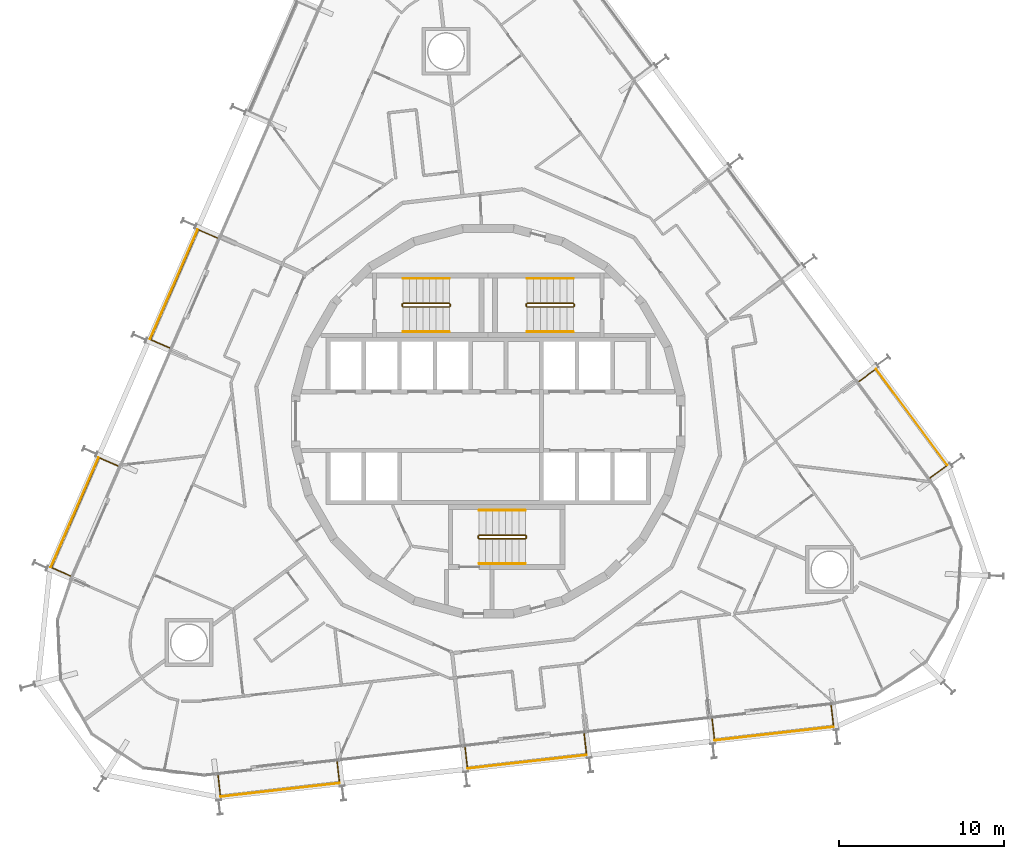
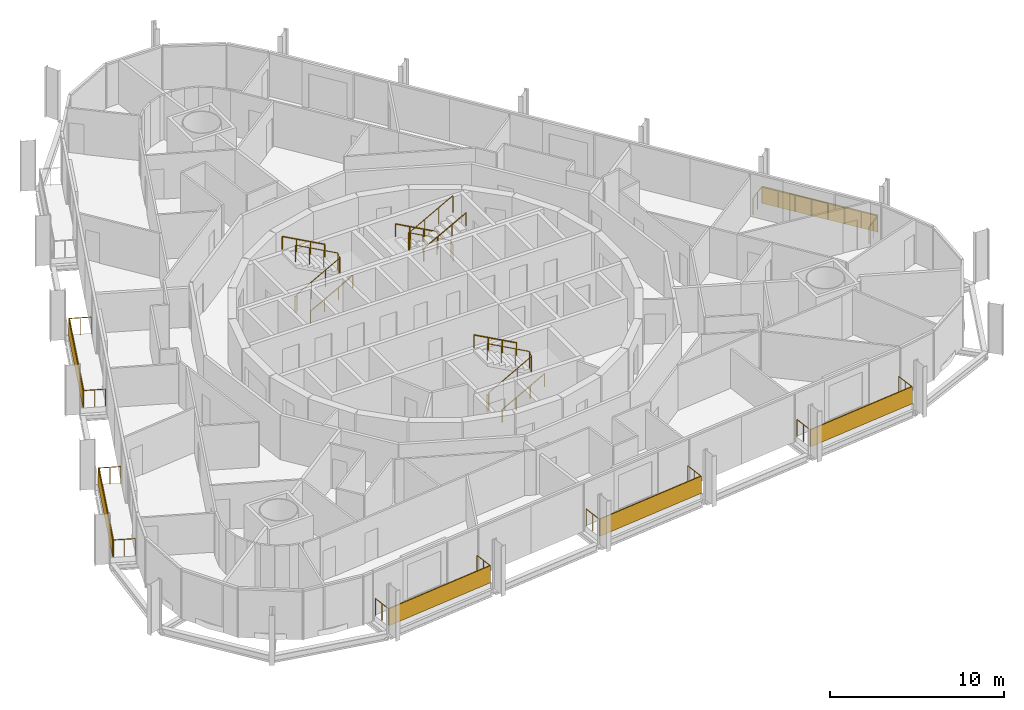
# One storey, part 23 of 24: 15 railings, 6 shading devices.
"""IFC4 building model written with IfcOpenShell, lengths in metres."""

from ifc_helpers import new_model, si_unit, direction, frame, origin, origin_2d, place, context, subcontext, project, spatial, rectangle, circle, extrude, material, layer, layer_set, type_object, element, save


model = new_model("IFC4")

# Units and contexts
model_context = context("Model", 3, precision=1e-05, world=origin(), true_north=direction((0.0, 1.0)))
body_context = subcontext(model_context, "Body", "Model", "MODEL_VIEW")
ifc_project = project(units=[si_unit("LENGTHUNIT", "METRE"), si_unit("AREAUNIT", "SQUARE_METRE"), si_unit("VOLUMEUNIT", "CUBIC_METRE"), si_unit("PLANEANGLEUNIT", "RADIAN"), si_unit("MASSUNIT", "GRAM", prefix="KILO")], contexts=[model_context])

# Site, building, storey
site_placement = place(None, origin())
site = spatial("IfcSite", under=ifc_project, at=site_placement, CompositionType="ELEMENT")
building_placement = place(site_placement, origin())
building = spatial("IfcBuilding", under=site, at=building_placement, Name="Spindle Arch Residences", CompositionType="ELEMENT")
storey_placement = place(building_placement, frame((0.0, 0.0, 87.199951171875)))
storey = spatial("IfcBuildingStorey", under=building, at=storey_placement, Name="L20", CompositionType="ELEMENT", Elevation=87.199951171875)

# Railings
ifc_material_1 = material(Name="Bronze anodised aluminium guard with glass infill", Category="aluminium")
railing_type_1 = type_object("IfcRailingType", Name="Balcony guard 1200", PredefinedType="GUARDRAIL", material=ifc_material_1)
railing_1_placement = place(storey_placement, frame((13.54150390625, -18.030517578125, 0.0)))
element("IfcRailing", 1, at=railing_1_placement, inside=storey, type_object=railing_type_1, Name="Guard L20 bay 2", PredefinedType="GUARDRAIL", context=body_context, shape_type="SweptSolid", body=[
    extrude(circle(Radius=0.02392578125, at=origin_2d()), frame((0.0, 0.0, 1.17578125), z_axis=(0.113089367196, -0.993584820248, 0.0), x_axis=(0.993584820248, 0.113089367196, 0.0)), (0.0, 0.0, 1.0), 1.25),
    extrude(circle(Radius=0.02392578125, at=origin_2d()), frame((0.141357421875, -1.241943359375, 1.17578125), z_axis=(0.993572236179, 0.113199874095, 0.0), x_axis=(-0.113199874095, 0.993572236179, 0.0)), (0.0, 0.0, 1.0), 7.248779296875),
    extrude(circle(Radius=0.02392578125, at=origin_2d()), frame((7.343505859375, -0.42138671875, 1.17578125), z_axis=(-0.113089367196, 0.993584820248, 0.0), x_axis=(-0.993584820248, -0.113089367196, 0.0)), (0.0, 0.0, 1.0), 1.25),
    extrude(circle(Radius=0.02099609375, at=origin_2d()), origin(), (0.0, 0.0, 1.0), 1.15185546875),
    extrude(circle(Radius=0.02099609375, at=origin_2d()), frame((0.07080078125, -0.62109375, 0.0)), (0.0, 0.0, 1.0), 1.15185546875),
    extrude(circle(Radius=0.02099609375, at=origin_2d()), frame((0.141357421875, -1.241943359375, 0.0)), (0.0, 0.0, 1.0), 1.15185546875),
    extrude(circle(Radius=0.02099609375, at=origin_2d()), frame((1.170166015625, -1.124755859375, 0.0)), (0.0, 0.0, 1.0), 1.15185546875),
    extrude(circle(Radius=0.02099609375, at=origin_2d()), frame((2.19921875, -1.007568359375, 0.0)), (0.0, 0.0, 1.0), 1.15185546875),
    extrude(circle(Radius=0.02099609375, at=origin_2d()), frame((3.22802734375, -0.890380859375, 0.0)), (0.0, 0.0, 1.0), 1.15185546875),
    extrude(circle(Radius=0.02099609375, at=origin_2d()), frame((4.2568359375, -0.77294921875, 0.0)), (0.0, 0.0, 1.0), 1.15185546875),
    extrude(circle(Radius=0.02099609375, at=origin_2d()), frame((5.28564453125, -0.65576171875, 0.0)), (0.0, 0.0, 1.0), 1.15185546875),
    extrude(circle(Radius=0.02099609375, at=origin_2d()), frame((6.314697265625, -0.53857421875, 0.0)), (0.0, 0.0, 1.0), 1.15185546875),
    extrude(circle(Radius=0.02099609375, at=origin_2d()), frame((7.343505859375, -0.42138671875, 0.0)), (0.0, 0.0, 1.0), 1.15185546875),
    extrude(circle(Radius=0.02099609375, at=origin_2d()), frame((7.27294921875, 0.19970703125, 0.0)), (0.0, 0.0, 1.0), 1.15185546875),
    extrude(circle(Radius=0.02099609375, at=origin_2d()), frame((7.2021484375, 0.820556640625, 0.0)), (0.0, 0.0, 1.0), 1.15185546875),
])
railing_2_placement = place(storey_placement, frame((26.733642578125, -3.433837890625, 0.0)))
element("IfcRailing", 2, at=railing_2_placement, inside=storey, type_object=railing_type_1, Name="Guard L20 bay 6", PredefinedType="GUARDRAIL", context=body_context, shape_type="SweptSolid", body=[
    extrude(circle(Radius=0.02392578125, at=origin_2d()), frame((0.0, 0.0, 1.17578125), z_axis=(0.803826957932, 0.594863195787, 0.0), x_axis=(-0.594863195787, 0.803826957932, 0.0)), (0.0, 0.0, 1.0), 1.250244140625),
    extrude(circle(Radius=0.02392578125, at=origin_2d()), frame((1.0048828125, 0.74365234375, 1.17578125), z_axis=(-0.594830382786, 0.803851239792, 0.0), x_axis=(-0.803851239792, -0.594830382786, 0.0)), (0.0, 0.0, 1.0), 7.248779296875),
    extrude(circle(Radius=0.02392578125, at=origin_2d()), frame((-3.306884765625, 6.570556640625, 1.17578125), z_axis=(-0.803920341668, -0.594736987459, 0.0), x_axis=(0.594736987459, -0.803920341668, 0.0)), (0.0, 0.0, 1.0), 1.25),
    extrude(circle(Radius=0.02099609375, at=origin_2d()), origin(), (0.0, 0.0, 1.0), 1.15185546875),
    extrude(circle(Radius=0.02099609375, at=origin_2d()), frame((0.50244140625, 0.371826171875, 0.0)), (0.0, 0.0, 1.0), 1.15185546875),
    extrude(circle(Radius=0.02099609375, at=origin_2d()), frame((1.0048828125, 0.74365234375, 0.0)), (0.0, 0.0, 1.0), 1.15185546875),
    extrude(circle(Radius=0.02099609375, at=origin_2d()), frame((0.388916015625, 1.576171875, 0.0)), (0.0, 0.0, 1.0), 1.15185546875),
    extrude(circle(Radius=0.02099609375, at=origin_2d()), frame((-0.22705078125, 2.408447265625, 0.0)), (0.0, 0.0, 1.0), 1.15185546875),
    extrude(circle(Radius=0.02099609375, at=origin_2d()), frame((-0.843017578125, 3.240966796875, 0.0)), (0.0, 0.0, 1.0), 1.15185546875),
    extrude(circle(Radius=0.02099609375, at=origin_2d()), frame((-1.458984375, 4.0732421875, 0.0)), (0.0, 0.0, 1.0), 1.15185546875),
    extrude(circle(Radius=0.02099609375, at=origin_2d()), frame((-2.074951171875, 4.90576171875, 0.0)), (0.0, 0.0, 1.0), 1.15185546875),
    extrude(circle(Radius=0.02099609375, at=origin_2d()), frame((-2.69091796875, 5.738037109375, 0.0)), (0.0, 0.0, 1.0), 1.15185546875),
    extrude(circle(Radius=0.02099609375, at=origin_2d()), frame((-3.306884765625, 6.570556640625, 0.0)), (0.0, 0.0, 1.0), 1.15185546875),
    extrude(circle(Radius=0.02099609375, at=origin_2d()), frame((-3.809326171875, 6.19873046875, 0.0)), (0.0, 0.0, 1.0), 1.15185546875),
    extrude(circle(Radius=0.02099609375, at=origin_2d()), frame((-4.311767578125, 5.8271484375, 0.0)), (0.0, 0.0, 1.0), 1.15185546875),
])
railing_3_placement = place(storey_placement, frame((-16.389404296875, 11.078369140625, 0.0)))
element("IfcRailing", 3, at=railing_3_placement, inside=storey, type_object=railing_type_1, Name="Guard L20 bay 16", PredefinedType="GUARDRAIL", context=body_context, shape_type="SweptSolid", body=[
    extrude(circle(Radius=0.02392578125, at=origin_2d()), frame((0.0, 0.0, 1.17578125), z_axis=(-0.917020365572, 0.398840380511, 0.0), x_axis=(-0.398840380511, -0.917020365572, 0.0)), (0.0, 0.0, 1.0), 1.25),
    extrude(circle(Radius=0.02392578125, at=origin_2d()), frame((-1.146240234375, 0.49853515625, 1.17578125), z_axis=(-0.398734732131, -0.917066308067, 0.0), x_axis=(0.917066308067, -0.398734732131, 0.0)), (0.0, 0.0, 1.0), 7.248779296875),
    extrude(circle(Radius=0.02392578125, at=origin_2d()), frame((-4.03662109375, -6.149169921875, 1.17578125), z_axis=(0.917091793142, -0.398676112844, 0.0), x_axis=(0.398676112844, 0.917091793142, 0.0)), (0.0, 0.0, 1.0), 1.249755859375),
    extrude(circle(Radius=0.02099609375, at=origin_2d()), origin(), (0.0, 0.0, 1.0), 1.15185546875),
    extrude(circle(Radius=0.02099609375, at=origin_2d()), frame((-0.5732421875, 0.249267578125, 0.0)), (0.0, 0.0, 1.0), 1.15185546875),
    extrude(circle(Radius=0.02099609375, at=origin_2d()), frame((-1.146240234375, 0.49853515625, 0.0)), (0.0, 0.0, 1.0), 1.15185546875),
    extrude(circle(Radius=0.02099609375, at=origin_2d()), frame((-1.55908203125, -0.451171875, 0.0)), (0.0, 0.0, 1.0), 1.15185546875),
    extrude(circle(Radius=0.02099609375, at=origin_2d()), frame((-1.97216796875, -1.40087890625, 0.0)), (0.0, 0.0, 1.0), 1.15185546875),
    extrude(circle(Radius=0.02099609375, at=origin_2d()), frame((-2.385009765625, -2.3505859375, 0.0)), (0.0, 0.0, 1.0), 1.15185546875),
    extrude(circle(Radius=0.02099609375, at=origin_2d()), frame((-2.7978515625, -3.300048828125, 0.0)), (0.0, 0.0, 1.0), 1.15185546875),
    extrude(circle(Radius=0.02099609375, at=origin_2d()), frame((-3.210693359375, -4.249755859375, 0.0)), (0.0, 0.0, 1.0), 1.15185546875),
    extrude(circle(Radius=0.02099609375, at=origin_2d()), frame((-3.623779296875, -5.199462890625, 0.0)), (0.0, 0.0, 1.0), 1.15185546875),
    extrude(circle(Radius=0.02099609375, at=origin_2d()), frame((-4.03662109375, -6.149169921875, 0.0)), (0.0, 0.0, 1.0), 1.15185546875),
    extrude(circle(Radius=0.02099609375, at=origin_2d()), frame((-3.46337890625, -6.3984375, 0.0)), (0.0, 0.0, 1.0), 1.15185546875),
    extrude(circle(Radius=0.02099609375, at=origin_2d()), frame((-2.890380859375, -6.6474609375, 0.0)), (0.0, 0.0, 1.0), 1.15185546875),
])
railing_4_placement = place(storey_placement, frame((-22.385498046875, -2.7119140625, 0.0)))
element("IfcRailing", 4, at=railing_4_placement, inside=storey, type_object=railing_type_1, Name="Guard L20 bay 18", PredefinedType="GUARDRAIL", context=body_context, shape_type="SweptSolid", body=[
    extrude(circle(Radius=0.02392578125, at=origin_2d()), frame((0.0, 0.0, 1.17578125), z_axis=(-0.917122831658, 0.398604706008, 0.0), x_axis=(-0.398604706008, -0.917122831658, 0.0)), (0.0, 0.0, 1.0), 1.25),
    extrude(circle(Radius=0.02392578125, at=origin_2d()), frame((-1.146484375, 0.498291015625, 1.17578125), z_axis=(-0.398747048027, -0.917060953094, 0.0), x_axis=(0.917060953094, -0.398747048027, 0.0)), (0.0, 0.0, 1.0), 7.248779296875),
    extrude(circle(Radius=0.02392578125, at=origin_2d()), frame((-4.036865234375, -6.149169921875, 1.17578125), z_axis=(0.917020365572, -0.398840380511, 0.0), x_axis=(0.398840380511, 0.917020365572, 0.0)), (0.0, 0.0, 1.0), 1.25),
    extrude(circle(Radius=0.02099609375, at=origin_2d()), origin(), (0.0, 0.0, 1.0), 1.15185546875),
    extrude(circle(Radius=0.02099609375, at=origin_2d()), frame((-0.5732421875, 0.2490234375, 0.0)), (0.0, 0.0, 1.0), 1.15185546875),
    extrude(circle(Radius=0.02099609375, at=origin_2d()), frame((-1.146484375, 0.498291015625, 0.0)), (0.0, 0.0, 1.0), 1.15185546875),
    extrude(circle(Radius=0.02099609375, at=origin_2d()), frame((-1.559326171875, -0.451416015625, 0.0)), (0.0, 0.0, 1.0), 1.15185546875),
    extrude(circle(Radius=0.02099609375, at=origin_2d()), frame((-1.972412109375, -1.40087890625, 0.0)), (0.0, 0.0, 1.0), 1.15185546875),
    extrude(circle(Radius=0.02099609375, at=origin_2d()), frame((-2.38525390625, -2.3505859375, 0.0)), (0.0, 0.0, 1.0), 1.15185546875),
    extrude(circle(Radius=0.02099609375, at=origin_2d()), frame((-2.798095703125, -3.30029296875, 0.0)), (0.0, 0.0, 1.0), 1.15185546875),
    extrude(circle(Radius=0.02099609375, at=origin_2d()), frame((-3.2109375, -4.25, 0.0)), (0.0, 0.0, 1.0), 1.15185546875),
    extrude(circle(Radius=0.02099609375, at=origin_2d()), frame((-3.6240234375, -5.199462890625, 0.0)), (0.0, 0.0, 1.0), 1.15185546875),
    extrude(circle(Radius=0.02099609375, at=origin_2d()), frame((-4.036865234375, -6.149169921875, 0.0)), (0.0, 0.0, 1.0), 1.15185546875),
    extrude(circle(Radius=0.02099609375, at=origin_2d()), frame((-3.4638671875, -6.3984375, 0.0)), (0.0, 0.0, 1.0), 1.15185546875),
    extrude(circle(Radius=0.02099609375, at=origin_2d()), frame((-2.890625, -6.647705078125, 0.0)), (0.0, 0.0, 1.0), 1.15185546875),
])
railing_5_placement = place(storey_placement, frame((-16.340576171875, -21.43505859375, 0.0)))
element("IfcRailing", 5, at=railing_5_placement, inside=storey, type_object=railing_type_1, Name="Guard L20 bay 22", PredefinedType="GUARDRAIL", context=body_context, shape_type="SweptSolid", body=[
    extrude(circle(Radius=0.02392578125, at=origin_2d()), frame((0.0, 0.0, 1.17578125), z_axis=(0.11328218126, -0.993562855289, 0.0), x_axis=(0.993562855289, 0.11328218126, 0.0)), (0.0, 0.0, 1.0), 1.25),
    extrude(circle(Radius=0.02392578125, at=origin_2d()), frame((0.1416015625, -1.241943359375, 1.17578125), z_axis=(0.993572236179, 0.113199874095, 0.0), x_axis=(-0.113199874095, 0.993572236179, 0.0)), (0.0, 0.0, 1.0), 7.248779296875),
    extrude(circle(Radius=0.02392578125, at=origin_2d()), frame((7.34375, -0.42138671875, 1.17578125), z_axis=(-0.11328218126, 0.993562855289, 0.0), x_axis=(-0.993562855289, -0.11328218126, 0.0)), (0.0, 0.0, 1.0), 1.25),
    extrude(circle(Radius=0.02099609375, at=origin_2d()), origin(), (0.0, 0.0, 1.0), 1.15185546875),
    extrude(circle(Radius=0.02099609375, at=origin_2d()), frame((0.07080078125, -0.62109375, 0.0)), (0.0, 0.0, 1.0), 1.15185546875),
    extrude(circle(Radius=0.02099609375, at=origin_2d()), frame((0.1416015625, -1.241943359375, 0.0)), (0.0, 0.0, 1.0), 1.15185546875),
    extrude(circle(Radius=0.02099609375, at=origin_2d()), frame((1.17041015625, -1.124755859375, 0.0)), (0.0, 0.0, 1.0), 1.15185546875),
    extrude(circle(Radius=0.02099609375, at=origin_2d()), frame((2.199462890625, -1.007568359375, 0.0)), (0.0, 0.0, 1.0), 1.15185546875),
    extrude(circle(Radius=0.02099609375, at=origin_2d()), frame((3.228271484375, -0.890380859375, 0.0)), (0.0, 0.0, 1.0), 1.15185546875),
    extrude(circle(Radius=0.02099609375, at=origin_2d()), frame((4.257080078125, -0.77294921875, 0.0)), (0.0, 0.0, 1.0), 1.15185546875),
    extrude(circle(Radius=0.02099609375, at=origin_2d()), frame((5.285888671875, -0.65576171875, 0.0)), (0.0, 0.0, 1.0), 1.15185546875),
    extrude(circle(Radius=0.02099609375, at=origin_2d()), frame((6.31494140625, -0.53857421875, 0.0)), (0.0, 0.0, 1.0), 1.15185546875),
    extrude(circle(Radius=0.02099609375, at=origin_2d()), frame((7.34375, -0.42138671875, 0.0)), (0.0, 0.0, 1.0), 1.15185546875),
    extrude(circle(Radius=0.02099609375, at=origin_2d()), frame((7.27294921875, 0.19970703125, 0.0)), (0.0, 0.0, 1.0), 1.15185546875),
    extrude(circle(Radius=0.02099609375, at=origin_2d()), frame((7.2021484375, 0.820556640625, 0.0)), (0.0, 0.0, 1.0), 1.15185546875),
])
railing_6_placement = place(storey_placement, frame((-1.399658203125, -19.73291015625, 0.0)))
element("IfcRailing", 6, at=railing_6_placement, inside=storey, type_object=railing_type_1, Name="Guard L20 bay 24", PredefinedType="GUARDRAIL", context=body_context, shape_type="SweptSolid", body=[
    extrude(circle(Radius=0.02392578125, at=origin_2d()), frame((0.0, 0.0, 1.17578125), z_axis=(0.11328218126, -0.993562855289, 0.0), x_axis=(0.993562855289, 0.11328218126, 0.0)), (0.0, 0.0, 1.0), 1.25),
    extrude(circle(Radius=0.02392578125, at=origin_2d()), frame((0.1416015625, -1.241943359375, 1.17578125), z_axis=(0.993572236179, 0.113199874095, 0.0), x_axis=(-0.113199874095, 0.993572236179, 0.0)), (0.0, 0.0, 1.0), 7.248779296875),
    extrude(circle(Radius=0.02392578125, at=origin_2d()), frame((7.34375, -0.42138671875, 1.17578125), z_axis=(-0.113067424691, 0.993587317488, 0.0), x_axis=(-0.993587317488, -0.113067424691, 0.0)), (0.0, 0.0, 1.0), 1.250244140625),
    extrude(circle(Radius=0.02099609375, at=origin_2d()), origin(), (0.0, 0.0, 1.0), 1.15185546875),
    extrude(circle(Radius=0.02099609375, at=origin_2d()), frame((0.07080078125, -0.62109375, 0.0)), (0.0, 0.0, 1.0), 1.15185546875),
    extrude(circle(Radius=0.02099609375, at=origin_2d()), frame((0.1416015625, -1.241943359375, 0.0)), (0.0, 0.0, 1.0), 1.15185546875),
    extrude(circle(Radius=0.02099609375, at=origin_2d()), frame((1.17041015625, -1.124755859375, 0.0)), (0.0, 0.0, 1.0), 1.15185546875),
    extrude(circle(Radius=0.02099609375, at=origin_2d()), frame((2.199462890625, -1.007568359375, 0.0)), (0.0, 0.0, 1.0), 1.15185546875),
    extrude(circle(Radius=0.02099609375, at=origin_2d()), frame((3.228271484375, -0.890380859375, 0.0)), (0.0, 0.0, 1.0), 1.15185546875),
    extrude(circle(Radius=0.02099609375, at=origin_2d()), frame((4.257080078125, -0.77294921875, 0.0)), (0.0, 0.0, 1.0), 1.15185546875),
    extrude(circle(Radius=0.02099609375, at=origin_2d()), frame((5.285888671875, -0.65576171875, 0.0)), (0.0, 0.0, 1.0), 1.15185546875),
    extrude(circle(Radius=0.02099609375, at=origin_2d()), frame((6.31494140625, -0.53857421875, 0.0)), (0.0, 0.0, 1.0), 1.15185546875),
    extrude(circle(Radius=0.02099609375, at=origin_2d()), frame((7.34375, -0.42138671875, 0.0)), (0.0, 0.0, 1.0), 1.15185546875),
    extrude(circle(Radius=0.02099609375, at=origin_2d()), frame((7.27294921875, 0.19970703125, 0.0)), (0.0, 0.0, 1.0), 1.15185546875),
    extrude(circle(Radius=0.02099609375, at=origin_2d()), frame((7.202392578125, 0.82080078125, 0.0)), (0.0, 0.0, 1.0), 1.15185546875),
])

# Shading devices
ifc_material_2 = material(Name="Bronze perforated cobogo screen")
ifc_layer = layer(ifc_material_2, 0.0390625)
ifc_layer_set = layer_set([ifc_layer], Name="Cobogo screen 1200")
shading_device_type = type_object("IfcShadingDeviceType", Name="Cobogo screen 1200", PredefinedType="USERDEFINED", material=ifc_layer_set)
for number, where, z_axis, x_axis, name in (
    (7, (17.28857421875, -18.90234375, 0.0), (0.0, 0.0, 1.0), (0.993571855677, 0.113203213768, 0.0), "Cobogo screen L20 bay 2"),
    (8, (25.615234375, 0.247314453125, 0.0), (0.0, 0.0, 1.0), (-0.594822786751, 0.803856860617, 0.0), "Cobogo screen L20 bay 6"),
    (9, (-19.01806640625, 8.269287109375, 0.0), (0.0, 0.0, 1.0), (-0.398749068925, -0.917060074385, 0.0), "Cobogo screen L20 bay 16"),
    (10, (-25.01416015625, -5.521240234375, 0.0), (0.0, 0.0, 1.0), (-0.398749068925, -0.917060074385, 0.0), "Cobogo screen L20 bay 18"),
    (11, (-12.59326171875, -22.30712890625, 0.0), (0.0, 0.0, 1.0), (0.993571855677, 0.113203213768, 0.0), "Cobogo screen L20 bay 22"),
    (12, (2.34765625, -20.604736328125, 0.0), (0.0, 0.0, 1.0), (0.993571855677, 0.113203213768, 0.0), "Cobogo screen L20 bay 24"),
):
    element("IfcShadingDevice", number, at=place(storey_placement, frame(where, z_axis=z_axis, x_axis=x_axis)), inside=storey, type_object=shading_device_type, Name=name, ObjectType="SCREEN", PredefinedType="USERDEFINED", context=body_context, shape_type="SweptSolid", body=[
        extrude(rectangle(XDim=7.248779296875, YDim=0.0390625, at=origin_2d()), origin(), (0.0, 0.0, 1.0), 1.199951171875),
    ])

# Railings
ifc_material_3 = material(Name="Steel, painted", Category="steel")
railing_type_2 = type_object("IfcRailingType", Name="Stair guard 1100", PredefinedType="GUARDRAIL", material=ifc_material_3)
railing_7_placement = place(storey_placement, frame((5.14990234375, 6.89990234375, 3.5)))
element("IfcRailing", 13, at=railing_7_placement, inside=storey, type_object=railing_type_2, Name="L20 ST1 stair guard 1", PredefinedType="GUARDRAIL", context=body_context, shape_type="SweptSolid", body=[
    extrude(circle(Radius=0.02392578125, at=origin_2d()), frame((0.0, 0.0, 1.17578125), z_axis=(-0.877357048833, 0.0, -0.479838106931), x_axis=(0.0, -1.0, 0.0)), (0.0, 0.0, 1.0), 3.191162109375),
    extrude(circle(Radius=0.02392578125, at=origin_2d()), frame((-2.7998046875, 0.0, -0.35546875), z_axis=(-0.217683172539, 0.217683172539, -0.951434744366), x_axis=(-0.707106781187, -0.707106781187, 0.0)), (0.0, 0.0, 1.0), 0.22998046875),
    extrude(circle(Radius=0.02392578125, at=origin_2d()), frame((-2.849853515625, 0.050048828125, -0.57421875), z_axis=(0.0, 1.0, 0.0), x_axis=(-1.0, 0.0, 0.0)), (0.0, 0.0, 1.0), 0.1201171875),
    extrude(circle(Radius=0.02392578125, at=origin_2d()), frame((-2.849853515625, 0.170166015625, -0.57421875), z_axis=(0.707106781187, 0.707106781187, 0.0), x_axis=(-0.707106781187, 0.707106781187, 0.0)), (0.0, 0.0, 1.0), 0.07080078125),
    extrude(circle(Radius=0.02392578125, at=origin_2d()), frame((-2.7998046875, 0.22021484375, -0.57421875), z_axis=(0.877357048833, 0.0, -0.479838106931), x_axis=(0.0, 1.0, 0.0)), (0.0, 0.0, 1.0), 3.191162109375),
    extrude(circle(Radius=0.02392578125, at=origin_2d()), frame((0.0, 0.22021484375, -2.10546875), z_axis=(0.217683172539, -0.217683172539, -0.951434744366), x_axis=(0.707106781187, 0.707106781187, 0.0)), (0.0, 0.0, 1.0), 0.22998046875),
    extrude(circle(Radius=0.02392578125, at=origin_2d()), frame((0.050048828125, 0.170166015625, -2.32421875), z_axis=(0.0, -1.0, 0.0), x_axis=(1.0, 0.0, 0.0)), (0.0, 0.0, 1.0), 0.1201171875),
    extrude(circle(Radius=0.02099609375, at=origin_2d()), origin(), (0.0, 0.0, 1.0), 1.15185546875),
    extrude(circle(Radius=0.02099609375, at=origin_2d()), frame((-0.933349609375, 0.0, -0.510498046875)), (0.0, 0.0, 1.0), 1.15185546875),
    extrude(circle(Radius=0.02099609375, at=origin_2d()), frame((-1.866455078125, 0.0, -1.020751953125)), (0.0, 0.0, 1.0), 1.15185546875),
    extrude(circle(Radius=0.02099609375, at=origin_2d()), frame((-2.7998046875, 0.0, -1.53125)), (0.0, 0.0, 1.0), 1.15185546875),
    extrude(circle(Radius=0.02099609375, at=origin_2d()), frame((-2.849853515625, 0.050048828125, -1.75)), (0.0, 0.0, 1.0), 1.15185546875),
    extrude(circle(Radius=0.02099609375, at=origin_2d()), frame((-2.849853515625, 0.170166015625, -1.75)), (0.0, 0.0, 1.0), 1.15185546875),
    extrude(circle(Radius=0.02099609375, at=origin_2d()), frame((-2.7998046875, 0.22021484375, -1.75)), (0.0, 0.0, 1.0), 1.15185546875),
    extrude(circle(Radius=0.02099609375, at=origin_2d()), frame((-1.866455078125, 0.22021484375, -2.260498046875)), (0.0, 0.0, 1.0), 1.15185546875),
    extrude(circle(Radius=0.02099609375, at=origin_2d()), frame((-0.933349609375, 0.22021484375, -2.770751953125)), (0.0, 0.0, 1.0), 1.15185546875),
    extrude(circle(Radius=0.02099609375, at=origin_2d()), frame((0.0, 0.22021484375, -3.28125)), (0.0, 0.0, 1.0), 1.15185546875),
    extrude(circle(Radius=0.02099609375, at=origin_2d()), frame((0.050048828125, 0.170166015625, -3.5)), (0.0, 0.0, 1.0), 1.15185546875),
    extrude(circle(Radius=0.02099609375, at=origin_2d()), frame((0.050048828125, 0.050048828125, -3.5)), (0.0, 0.0, 1.0), 1.15185546875),
])
railing_8_placement = place(storey_placement, frame((-5.14990234375, 7.1201171875, 3.5)))
element("IfcRailing", 14, at=railing_8_placement, inside=storey, type_object=railing_type_2, Name="L20 ST2 stair guard 1", PredefinedType="GUARDRAIL", context=body_context, shape_type="SweptSolid", body=[
    extrude(circle(Radius=0.02392578125, at=origin_2d()), frame((0.0, 0.0, 1.17578125), z_axis=(0.877357048833, 0.0, -0.479838106931), x_axis=(0.0, 1.0, 0.0)), (0.0, 0.0, 1.0), 3.191162109375),
    extrude(circle(Radius=0.02392578125, at=origin_2d()), frame((2.7998046875, 0.0, -0.35546875), z_axis=(0.217683172539, -0.217683172539, -0.951434744366), x_axis=(0.707106781187, 0.707106781187, 0.0)), (0.0, 0.0, 1.0), 0.22998046875),
    extrude(circle(Radius=0.02392578125, at=origin_2d()), frame((2.849853515625, -0.050048828125, -0.57421875), z_axis=(0.0, -1.0, 0.0), x_axis=(1.0, 0.0, 0.0)), (0.0, 0.0, 1.0), 0.1201171875),
    extrude(circle(Radius=0.02392578125, at=origin_2d()), frame((2.849853515625, -0.170166015625, -0.57421875), z_axis=(-0.707106781187, -0.707106781187, 0.0), x_axis=(0.707106781187, -0.707106781187, 0.0)), (0.0, 0.0, 1.0), 0.07080078125),
    extrude(circle(Radius=0.02392578125, at=origin_2d()), frame((2.7998046875, -0.22021484375, -0.57421875), z_axis=(-0.877357048833, 0.0, -0.479838106931), x_axis=(0.0, -1.0, 0.0)), (0.0, 0.0, 1.0), 3.191162109375),
    extrude(circle(Radius=0.02392578125, at=origin_2d()), frame((0.0, -0.22021484375, -2.10546875), z_axis=(-0.217683172539, 0.217683172539, -0.951434744366), x_axis=(-0.707106781187, -0.707106781187, 0.0)), (0.0, 0.0, 1.0), 0.22998046875),
    extrude(circle(Radius=0.02392578125, at=origin_2d()), frame((-0.050048828125, -0.170166015625, -2.32421875), z_axis=(0.0, 1.0, 0.0), x_axis=(-1.0, 0.0, 0.0)), (0.0, 0.0, 1.0), 0.1201171875),
    extrude(circle(Radius=0.02099609375, at=origin_2d()), origin(), (0.0, 0.0, 1.0), 1.15185546875),
    extrude(circle(Radius=0.02099609375, at=origin_2d()), frame((0.933349609375, 0.0, -0.510498046875)), (0.0, 0.0, 1.0), 1.15185546875),
    extrude(circle(Radius=0.02099609375, at=origin_2d()), frame((1.866455078125, 0.0, -1.020751953125)), (0.0, 0.0, 1.0), 1.15185546875),
    extrude(circle(Radius=0.02099609375, at=origin_2d()), frame((2.7998046875, 0.0, -1.53125)), (0.0, 0.0, 1.0), 1.15185546875),
    extrude(circle(Radius=0.02099609375, at=origin_2d()), frame((2.849853515625, -0.050048828125, -1.75)), (0.0, 0.0, 1.0), 1.15185546875),
    extrude(circle(Radius=0.02099609375, at=origin_2d()), frame((2.849853515625, -0.170166015625, -1.75)), (0.0, 0.0, 1.0), 1.15185546875),
    extrude(circle(Radius=0.02099609375, at=origin_2d()), frame((2.7998046875, -0.22021484375, -1.75)), (0.0, 0.0, 1.0), 1.15185546875),
    extrude(circle(Radius=0.02099609375, at=origin_2d()), frame((1.866455078125, -0.22021484375, -2.260498046875)), (0.0, 0.0, 1.0), 1.15185546875),
    extrude(circle(Radius=0.02099609375, at=origin_2d()), frame((0.933349609375, -0.22021484375, -2.770751953125)), (0.0, 0.0, 1.0), 1.15185546875),
    extrude(circle(Radius=0.02099609375, at=origin_2d()), frame((0.0, -0.22021484375, -3.28125)), (0.0, 0.0, 1.0), 1.15185546875),
    extrude(circle(Radius=0.02099609375, at=origin_2d()), frame((-0.050048828125, -0.170166015625, -3.5)), (0.0, 0.0, 1.0), 1.15185546875),
    extrude(circle(Radius=0.02099609375, at=origin_2d()), frame((-0.050048828125, -0.050048828125, -3.5)), (0.0, 0.0, 1.0), 1.15185546875),
])
railing_9_placement = place(storey_placement, frame((-0.550048828125, -6.89990234375, 3.5)))
element("IfcRailing", 15, at=railing_9_placement, inside=storey, type_object=railing_type_2, Name="L20 ST3 stair guard 1", PredefinedType="GUARDRAIL", context=body_context, shape_type="SweptSolid", body=[
    extrude(circle(Radius=0.02392578125, at=origin_2d()), frame((0.0, 0.0, 1.17578125), z_axis=(0.877374661878, 0.0, -0.479805901063), x_axis=(0.0, 1.0, 0.0)), (0.0, 0.0, 1.0), 3.19140625),
    extrude(circle(Radius=0.02392578125, at=origin_2d()), frame((2.800048828125, 0.0, -0.35546875), z_axis=(0.217683172539, -0.217683172539, -0.951434744366), x_axis=(0.707106781187, 0.707106781187, 0.0)), (0.0, 0.0, 1.0), 0.22998046875),
    extrude(circle(Radius=0.02392578125, at=origin_2d()), frame((2.85009765625, -0.050048828125, -0.57421875), z_axis=(0.0, -1.0, 0.0), x_axis=(1.0, 0.0, 0.0)), (0.0, 0.0, 1.0), 0.1201171875),
    extrude(circle(Radius=0.02392578125, at=origin_2d()), frame((2.85009765625, -0.170166015625, -0.57421875), z_axis=(-0.707106781187, -0.707106781187, 0.0), x_axis=(0.707106781187, -0.707106781187, 0.0)), (0.0, 0.0, 1.0), 0.07080078125),
    extrude(circle(Radius=0.02392578125, at=origin_2d()), frame((2.800048828125, -0.22021484375, -0.57421875), z_axis=(-0.877374661878, 0.0, -0.479805901063), x_axis=(0.0, -1.0, 0.0)), (0.0, 0.0, 1.0), 3.19140625),
    extrude(circle(Radius=0.02392578125, at=origin_2d()), frame((0.0, -0.22021484375, -2.10546875), z_axis=(-0.217683172539, 0.217683172539, -0.951434744366), x_axis=(-0.707106781187, -0.707106781187, 0.0)), (0.0, 0.0, 1.0), 0.22998046875),
    extrude(circle(Radius=0.02392578125, at=origin_2d()), frame((-0.050048828125, -0.170166015625, -2.32421875), z_axis=(0.0, 1.0, 0.0), x_axis=(-1.0, 0.0, 0.0)), (0.0, 0.0, 1.0), 0.1201171875),
    extrude(circle(Radius=0.02099609375, at=origin_2d()), origin(), (0.0, 0.0, 1.0), 1.15185546875),
    extrude(circle(Radius=0.02099609375, at=origin_2d()), frame((0.933349609375, 0.0, -0.510498046875)), (0.0, 0.0, 1.0), 1.15185546875),
    extrude(circle(Radius=0.02099609375, at=origin_2d()), frame((1.86669921875, 0.0, -1.020751953125)), (0.0, 0.0, 1.0), 1.15185546875),
    extrude(circle(Radius=0.02099609375, at=origin_2d()), frame((2.800048828125, 0.0, -1.53125)), (0.0, 0.0, 1.0), 1.15185546875),
    extrude(circle(Radius=0.02099609375, at=origin_2d()), frame((2.85009765625, -0.050048828125, -1.75)), (0.0, 0.0, 1.0), 1.15185546875),
    extrude(circle(Radius=0.02099609375, at=origin_2d()), frame((2.85009765625, -0.170166015625, -1.75)), (0.0, 0.0, 1.0), 1.15185546875),
    extrude(circle(Radius=0.02099609375, at=origin_2d()), frame((2.800048828125, -0.22021484375, -1.75)), (0.0, 0.0, 1.0), 1.15185546875),
    extrude(circle(Radius=0.02099609375, at=origin_2d()), frame((1.86669921875, -0.22021484375, -2.260498046875)), (0.0, 0.0, 1.0), 1.15185546875),
    extrude(circle(Radius=0.02099609375, at=origin_2d()), frame((0.933349609375, -0.22021484375, -2.770751953125)), (0.0, 0.0, 1.0), 1.15185546875),
    extrude(circle(Radius=0.02099609375, at=origin_2d()), frame((0.0, -0.22021484375, -3.28125)), (0.0, 0.0, 1.0), 1.15185546875),
    extrude(circle(Radius=0.02099609375, at=origin_2d()), frame((-0.050048828125, -0.170166015625, -3.5)), (0.0, 0.0, 1.0), 1.15185546875),
    extrude(circle(Radius=0.02099609375, at=origin_2d()), frame((-0.050048828125, -0.050048828125, -3.5)), (0.0, 0.0, 1.0), 1.15185546875),
])
ifc_material_4 = material(Name="Steel, painted", Category="steel")
railing_type_3 = type_object("IfcRailingType", Name="Stair handrail 900", PredefinedType="HANDRAIL", material=ifc_material_4)
railing_10_placement = place(storey_placement, frame((5.14990234375, 8.6201171875, 0.21875)))
element("IfcRailing", 16, at=railing_10_placement, inside=storey, type_object=railing_type_3, Name="L20 ST1 stair handrail 1", PredefinedType="HANDRAIL", context=body_context, shape_type="SweptSolid", body=[
    extrude(circle(Radius=0.02392578125, at=origin_2d()), frame((0.0, 0.0, 0.8759765625), z_axis=(-0.877357048833, 0.0, 0.479838106931), x_axis=(0.0, -1.0, 0.0)), (0.0, 0.0, 1.0), 3.191162109375),
    extrude(circle(Radius=0.02099609375, at=origin_2d()), origin(), (0.0, 0.0, 1.0), 0.851806640625),
    extrude(circle(Radius=0.02099609375, at=origin_2d()), frame((-0.933349609375, 0.0, 0.510498046875)), (0.0, 0.0, 1.0), 0.851806640625),
    extrude(circle(Radius=0.02099609375, at=origin_2d()), frame((-1.866455078125, 0.0, 1.020751953125)), (0.0, 0.0, 1.0), 0.851806640625),
    extrude(circle(Radius=0.02099609375, at=origin_2d()), frame((-2.7998046875, 0.0, 1.53125)), (0.0, 0.0, 1.0), 0.851806640625),
])
for number, where, name in (
    (17, (2.35009765625, 5.39990234375, 1.96875), "L20 ST1 stair handrail 2"),
    (18, (-5.14990234375, 5.39990234375, 0.21875), "L20 ST2 stair handrail 1"),
):
    element("IfcRailing", number, at=place(storey_placement, frame(where)), inside=storey, type_object=railing_type_3, Name=name, PredefinedType="HANDRAIL", context=body_context, shape_type="SweptSolid", body=[
        extrude(circle(Radius=0.02392578125, at=origin_2d()), frame((0.0, 0.0, 0.8759765625), z_axis=(0.877357048833, 0.0, 0.479838106931), x_axis=(0.0, 1.0, 0.0)), (0.0, 0.0, 1.0), 3.191162109375),
        extrude(circle(Radius=0.02099609375, at=origin_2d()), origin(), (0.0, 0.0, 1.0), 0.851806640625),
        extrude(circle(Radius=0.02099609375, at=origin_2d()), frame((0.933349609375, 0.0, 0.510498046875)), (0.0, 0.0, 1.0), 0.851806640625),
        extrude(circle(Radius=0.02099609375, at=origin_2d()), frame((1.866455078125, 0.0, 1.020751953125)), (0.0, 0.0, 1.0), 0.851806640625),
        extrude(circle(Radius=0.02099609375, at=origin_2d()), frame((2.7998046875, 0.0, 1.53125)), (0.0, 0.0, 1.0), 0.851806640625),
    ])
railing_11_placement = place(storey_placement, frame((-2.35009765625, 8.6201171875, 1.96875)))
element("IfcRailing", 19, at=railing_11_placement, inside=storey, type_object=railing_type_3, Name="L20 ST2 stair handrail 2", PredefinedType="HANDRAIL", context=body_context, shape_type="SweptSolid", body=[
    extrude(circle(Radius=0.02392578125, at=origin_2d()), frame((0.0, 0.0, 0.8759765625), z_axis=(-0.877357048833, 0.0, 0.479838106931), x_axis=(0.0, -1.0, 0.0)), (0.0, 0.0, 1.0), 3.191162109375),
    extrude(circle(Radius=0.02099609375, at=origin_2d()), origin(), (0.0, 0.0, 1.0), 0.851806640625),
    extrude(circle(Radius=0.02099609375, at=origin_2d()), frame((-0.933349609375, 0.0, 0.510498046875)), (0.0, 0.0, 1.0), 0.851806640625),
    extrude(circle(Radius=0.02099609375, at=origin_2d()), frame((-1.866455078125, 0.0, 1.020751953125)), (0.0, 0.0, 1.0), 0.851806640625),
    extrude(circle(Radius=0.02099609375, at=origin_2d()), frame((-2.7998046875, 0.0, 1.53125)), (0.0, 0.0, 1.0), 0.851806640625),
])
railing_12_placement = place(storey_placement, frame((-0.550048828125, -8.6201171875, 0.21875)))
element("IfcRailing", 20, at=railing_12_placement, inside=storey, type_object=railing_type_3, Name="L20 ST3 stair handrail 1", PredefinedType="HANDRAIL", context=body_context, shape_type="SweptSolid", body=[
    extrude(circle(Radius=0.02392578125, at=origin_2d()), frame((0.0, 0.0, 0.8759765625), z_axis=(0.877374661878, 0.0, 0.479805901063), x_axis=(0.0, 1.0, 0.0)), (0.0, 0.0, 1.0), 3.19140625),
    extrude(circle(Radius=0.02099609375, at=origin_2d()), origin(), (0.0, 0.0, 1.0), 0.851806640625),
    extrude(circle(Radius=0.02099609375, at=origin_2d()), frame((0.933349609375, 0.0, 0.510498046875)), (0.0, 0.0, 1.0), 0.851806640625),
    extrude(circle(Radius=0.02099609375, at=origin_2d()), frame((1.86669921875, 0.0, 1.020751953125)), (0.0, 0.0, 1.0), 0.851806640625),
    extrude(circle(Radius=0.02099609375, at=origin_2d()), frame((2.800048828125, 0.0, 1.53125)), (0.0, 0.0, 1.0), 0.851806640625),
])
railing_13_placement = place(storey_placement, frame((2.25, -5.39990234375, 1.96875)))
element("IfcRailing", 21, at=railing_13_placement, inside=storey, type_object=railing_type_3, Name="L20 ST3 stair handrail 2", PredefinedType="HANDRAIL", context=body_context, shape_type="SweptSolid", body=[
    extrude(circle(Radius=0.02392578125, at=origin_2d()), frame((0.0, 0.0, 0.8759765625), z_axis=(-0.877374661878, 0.0, 0.479805901063), x_axis=(0.0, -1.0, 0.0)), (0.0, 0.0, 1.0), 3.19140625),
    extrude(circle(Radius=0.02099609375, at=origin_2d()), origin(), (0.0, 0.0, 1.0), 0.851806640625),
    extrude(circle(Radius=0.02099609375, at=origin_2d()), frame((-0.933349609375, 0.0, 0.510498046875)), (0.0, 0.0, 1.0), 0.851806640625),
    extrude(circle(Radius=0.02099609375, at=origin_2d()), frame((-1.86669921875, 0.0, 1.020751953125)), (0.0, 0.0, 1.0), 0.851806640625),
    extrude(circle(Radius=0.02099609375, at=origin_2d()), frame((-2.800048828125, 0.0, 1.53125)), (0.0, 0.0, 1.0), 0.851806640625),
])

save(model, "model.ifc")
